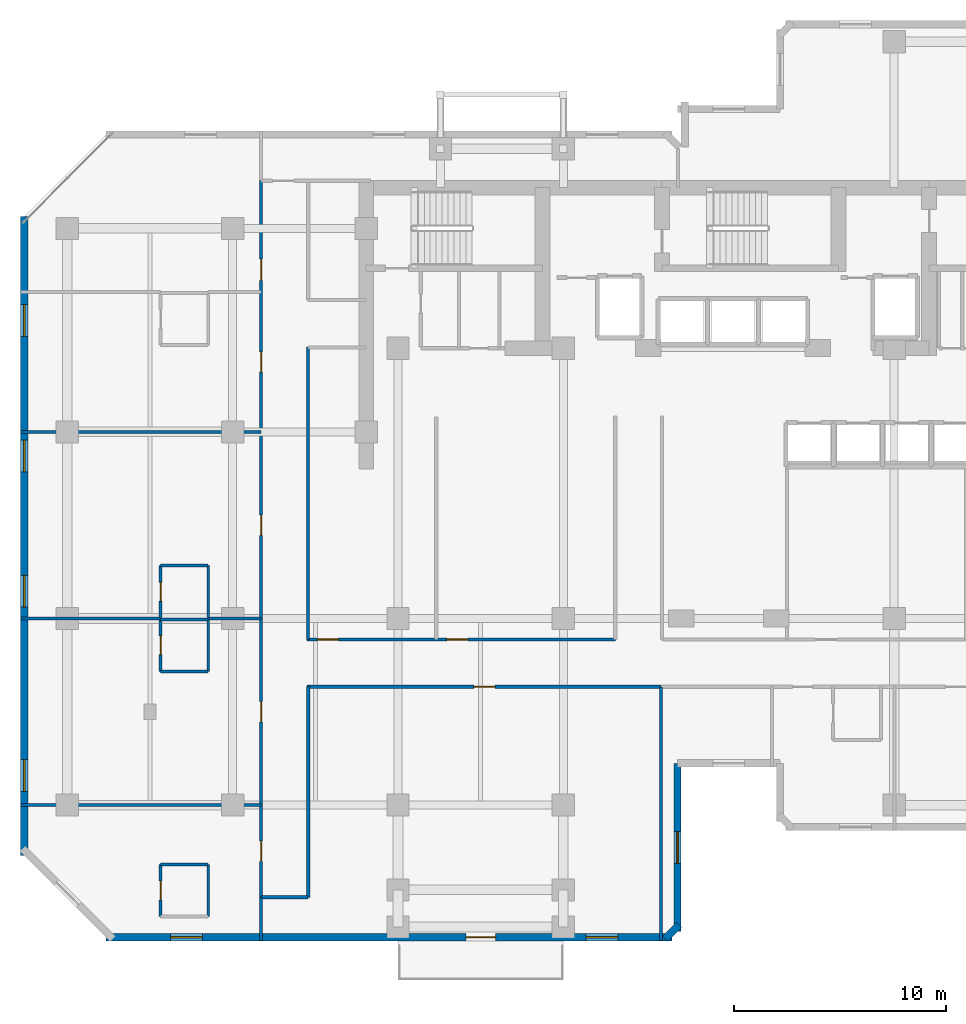
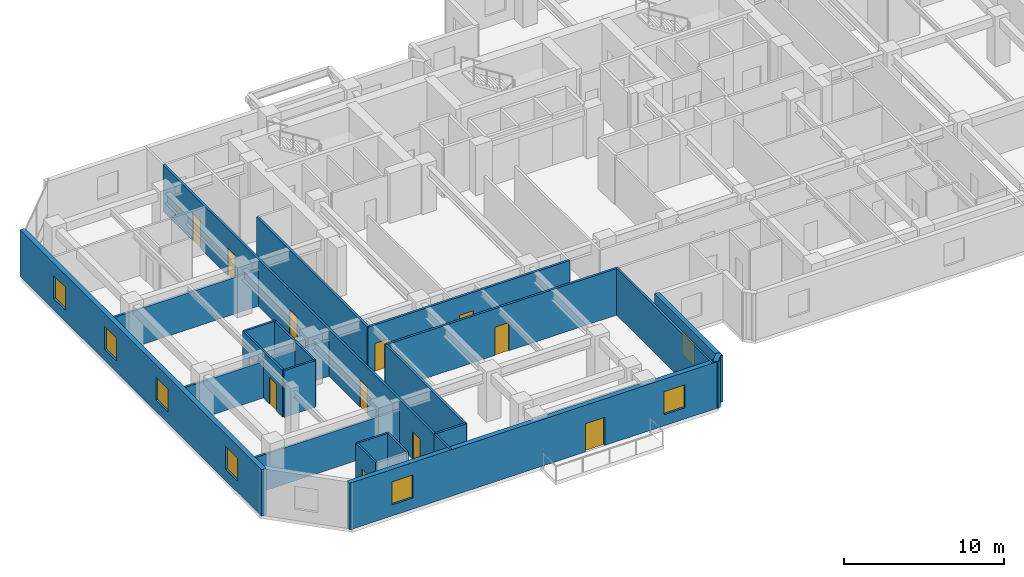
# One storey, part 4 of 10: 26 walls, 12 doors, 7 windows, 19 openings.
"""IFC4 building model written with IfcOpenShell, lengths in metres."""

from ifc_helpers import new_model, si_unit, direction, frame, frame_2d, origin, place, context, subcontext, project, spatial, rectangle, extrude, material, layer, layer_set, type_object, element, fill, save


model = new_model("IFC4")

# Units and contexts
model_context = context("Model", 3, precision=1e-05, world=origin(), true_north=direction((0.0, 1.0)))
body_context = subcontext(model_context, "Body", "Model", "MODEL_VIEW")
ifc_project = project(units=[si_unit("LENGTHUNIT", "METRE"), si_unit("AREAUNIT", "SQUARE_METRE"), si_unit("VOLUMEUNIT", "CUBIC_METRE"), si_unit("PLANEANGLEUNIT", "RADIAN"), si_unit("MASSUNIT", "GRAM", prefix="KILO")], contexts=[model_context])

# Site, building, storey
site_placement = place(None, origin())
site = spatial("IfcSite", under=ifc_project, at=site_placement, CompositionType="ELEMENT")
building_placement = place(site_placement, origin())
building = spatial("IfcBuilding", under=site, at=building_placement, Name="Kestravale Grand Hotel", CompositionType="ELEMENT")
storey_placement = place(building_placement, frame((0.0, 0.0, 138.39990234375)))
storey = spatial("IfcBuildingStorey", under=building, at=storey_placement, Name="L34", CompositionType="ELEMENT", Elevation=138.39990234375)

# Wall, openings, door, windows
ifc_material_1 = material(Name="Precast concrete f'c 45 MPa", Category="concrete")
ifc_layer_1 = layer(ifc_material_1, 0.340087890625)
ifc_layer_set_1 = layer_set([ifc_layer_1], Name="EW-PREC-340")
wall_type_1 = type_object("IfcWallType", Name="EW-PREC-340", PredefinedType="SOLIDWALL", material=ifc_layer_set_1)
wall_1_placement = place(storey_placement, frame((9.6298828125, 4.969970703125, 0.0), z_axis=(0.0, 0.0, 1.0), x_axis=(1.0, 0.0, 0.0)))
wall_1 = element("IfcWall", 1, at=wall_1_placement, inside=storey, type_object=wall_type_1, Name="L34 fluted precast facade wall 1", PredefinedType="SOLIDWALL", context=body_context, shape_type="SweptSolid", body=[
    extrude(rectangle(XDim=26.690185546875, YDim=0.340087890625, at=frame_2d((13.34521484375, 0.0))), origin(), (0.0, 0.0, 1.0), 3.550048828125),
])
opening_1_placement = place(wall_1_placement, frame((16.969970703125, 0.0, 0.0)))
opening_1 = element("IfcOpeningElement", 2, at=opening_1_placement, cuts=wall_1, Name="Opening D-TERR-1400", PredefinedType="OPENING", context=body_context, shape_type="SweptSolid", body=[
    extrude(rectangle(XDim=1.39990234375, YDim=2.14990234375, at=frame_2d((0.699951171875, 1.074951171875))), frame((0.0, 0.179931640625, 0.0), z_axis=(0.0, -1.0, 0.0), x_axis=(1.0, 0.0, 0.0)), (0.0, 0.0, 1.0), 0.360107421875),
])
opening_2_placement = place(wall_1_placement, frame((3.04833984375, 0.0, 0.85009765625)))
opening_2 = element("IfcOpeningElement", 3, at=opening_2_placement, cuts=wall_1, Name="Opening W-GUEST-1500", PredefinedType="OPENING", context=body_context, shape_type="SweptSolid", body=[
    extrude(rectangle(XDim=1.5, YDim=1.75, at=frame_2d((0.75, 0.875))), frame((0.0, 0.179931640625, 0.0), z_axis=(0.0, -1.0, 0.0), x_axis=(1.0, 0.0, 0.0)), (0.0, 0.0, 1.0), 0.360107421875),
])
opening_3_placement = place(wall_1_placement, frame((22.6416015625, 0.0, 0.85009765625)))
opening_3 = element("IfcOpeningElement", 4, at=opening_3_placement, cuts=wall_1, Name="Opening W-GUEST-1500", PredefinedType="OPENING", context=body_context, shape_type="SweptSolid", body=[
    extrude(rectangle(XDim=1.5, YDim=1.75, at=frame_2d((0.75, 0.875))), frame((0.0, 0.179931640625, 0.0), z_axis=(0.0, -1.0, 0.0), x_axis=(1.0, 0.0, 0.0)), (0.0, 0.0, 1.0), 0.360107421875),
])
ifc_material_2 = material(Name="Insulated glazed champagne-bronze aluminium door", Category="aluminium")
door_type_1 = type_object("IfcDoorType", Name="D-TERR-1400", OperationType="NOTDEFINED", PredefinedType="DOOR", material=ifc_material_2)
door_1_placement = place(opening_1_placement, origin())
door_1 = element("IfcDoor", 5, at=door_1_placement, inside=storey, type_object=door_type_1, Name="L34 outdoor garden terrace door", OperationType="DOUBLE_DOOR_SINGLE_SWING", OverallHeight=2.14990234375, OverallWidth=1.39990234375, PredefinedType="DOOR", context=body_context, shape_type="SweptSolid", body=[
    extrude(rectangle(XDim=1.39990234375, YDim=2.14990234375, at=frame_2d((0.699951171875, 1.074951171875))), frame((0.0, 0.02490234375, 0.0), z_axis=(0.0, -1.0, 0.0), x_axis=(1.0, 0.0, 0.0)), (0.0, 0.0, 1.0), 0.050048828125),
])
fill(opening_1, door_1)
ifc_material_3 = material(Name="Insulated low-E double glazing in aluminium frame", Category="aluminium")
window_type = type_object("IfcWindowType", Name="W-GUEST-1500", PartitioningType="SINGLE_PANEL", PredefinedType="WINDOW", material=ifc_material_3)
window_1_placement = place(opening_2_placement, origin())
window_1 = element("IfcWindow", 6, at=window_1_placement, inside=storey, type_object=window_type, Name="L34 exterior window 1.1", OverallHeight=1.75, OverallWidth=1.5, PartitioningType="SINGLE_PANEL", PredefinedType="WINDOW", context=body_context, shape_type="SweptSolid", body=[
    extrude(rectangle(XDim=1.5, YDim=1.75, at=frame_2d((0.75, 0.875))), frame((0.0, 0.030029296875, 0.0), z_axis=(0.0, -1.0, 0.0), x_axis=(1.0, 0.0, 0.0)), (0.0, 0.0, 1.0), 0.06005859375),
])
fill(opening_2, window_1)
window_2_placement = place(opening_3_placement, origin())
window_2 = element("IfcWindow", 7, at=window_2_placement, inside=storey, type_object=window_type, Name="L34 exterior window 1.2", OverallHeight=1.75, OverallWidth=1.5, PartitioningType="SINGLE_PANEL", PredefinedType="WINDOW", context=body_context, shape_type="SweptSolid", body=[
    extrude(rectangle(XDim=1.5, YDim=1.75, at=frame_2d((0.75, 0.875))), frame((0.0, 0.030029296875, 0.0), z_axis=(0.0, -1.0, 0.0), x_axis=(1.0, 0.0, 0.0)), (0.0, 0.0, 1.0), 0.06005859375),
])
fill(opening_3, window_2)

# Wall
wall_2_placement = place(storey_placement, frame((36.00146484375, 4.891845703125, 0.0), z_axis=(0.0, 0.0, 1.0), x_axis=(0.707106781187, 0.707106781187, 0.0)))
element("IfcWall", 8, at=wall_2_placement, inside=storey, type_object=wall_type_1, Name="L34 fluted precast facade wall 2", PredefinedType="SOLIDWALL", context=body_context, shape_type="SweptSolid", body=[
    extrude(rectangle(XDim=0.9287109375, YDim=0.340087890625, at=frame_2d((0.46435546875, 0.0))), origin(), (0.0, 0.0, 1.0), 3.550048828125),
])

# Wall, opening, window
wall_3_placement = place(storey_placement, frame((36.580078125, 5.22998046875, 0.0), z_axis=(0.0, 0.0, 1.0), x_axis=(0.0, 1.0, 0.0)))
wall_3 = element("IfcWall", 9, at=wall_3_placement, inside=storey, type_object=wall_type_1, Name="L34 fluted precast facade wall 3", PredefinedType="SOLIDWALL", context=body_context, shape_type="SweptSolid", body=[
    extrude(rectangle(XDim=7.93994140625, YDim=0.340087890625, at=frame_2d((3.969970703125, 0.0))), origin(), (0.0, 0.0, 1.0), 3.550048828125),
])
opening_4_placement = place(wall_3_placement, frame((3.219970703125, 0.0, 0.85009765625)))
opening_4 = element("IfcOpeningElement", 10, at=opening_4_placement, cuts=wall_3, Name="Opening W-GUEST-1500", PredefinedType="OPENING", context=body_context, shape_type="SweptSolid", body=[
    extrude(rectangle(XDim=1.5, YDim=1.75, at=frame_2d((0.75, 0.875))), frame((0.0, 0.179931640625, 0.0), z_axis=(0.0, -1.0, 0.0), x_axis=(1.0, 0.0, 0.0)), (0.0, 0.0, 1.0), 0.360107421875),
])
window_3_placement = place(opening_4_placement, origin())
window_3 = element("IfcWindow", 11, at=window_3_placement, inside=storey, type_object=window_type, Name="L34 exterior window 3.1", OverallHeight=1.75, OverallWidth=1.5, PartitioningType="SINGLE_PANEL", PredefinedType="WINDOW", context=body_context, shape_type="SweptSolid", body=[
    extrude(rectangle(XDim=1.5, YDim=1.75, at=frame_2d((0.75, 0.875))), frame((0.0, 0.030029296875, 0.0), z_axis=(0.0, -1.0, 0.0), x_axis=(1.0, 0.0, 0.0)), (0.0, 0.0, 1.0), 0.06005859375),
])
fill(opening_4, window_3)

# Wall, openings, windows
wall_4_placement = place(storey_placement, frame((5.77001953125, 38.969970703125, 0.0), z_axis=(0.0, 0.0, 1.0), x_axis=(0.0, -1.0, 0.0)))
wall_4 = element("IfcWall", 12, at=wall_4_placement, inside=storey, type_object=wall_type_1, Name="L34 fluted precast facade wall 19", PredefinedType="SOLIDWALL", context=body_context, shape_type="SweptSolid", body=[
    extrude(rectangle(XDim=30.139892578125, YDim=0.340087890625, at=frame_2d((15.06982421875, 0.0))), origin(), (0.0, 0.0, 1.0), 3.550048828125),
])
opening_5_placement = place(wall_4_placement, frame((4.16748046875, 0.0, 0.85009765625)))
opening_5 = element("IfcOpeningElement", 13, at=opening_5_placement, cuts=wall_4, Name="Opening W-GUEST-1500", PredefinedType="OPENING", context=body_context, shape_type="SweptSolid", body=[
    extrude(rectangle(XDim=1.5, YDim=1.75, at=frame_2d((0.75, 0.875))), frame((0.0, 0.179931640625, 0.0), z_axis=(0.0, -1.0, 0.0), x_axis=(1.0, 0.0, 0.0)), (0.0, 0.0, 1.0), 0.360107421875),
])
opening_6_placement = place(wall_4_placement, frame((10.552490234375, 0.0, 0.85009765625)))
opening_6 = element("IfcOpeningElement", 14, at=opening_6_placement, cuts=wall_4, Name="Opening W-GUEST-1500", PredefinedType="OPENING", context=body_context, shape_type="SweptSolid", body=[
    extrude(rectangle(XDim=1.5, YDim=1.75, at=frame_2d((0.75, 0.875))), frame((0.0, 0.179931640625, 0.0), z_axis=(0.0, -1.0, 0.0), x_axis=(1.0, 0.0, 0.0)), (0.0, 0.0, 1.0), 0.360107421875),
])
opening_7_placement = place(wall_4_placement, frame((16.9375, 0.0, 0.85009765625)))
opening_7 = element("IfcOpeningElement", 15, at=opening_7_placement, cuts=wall_4, Name="Opening W-GUEST-1500", PredefinedType="OPENING", context=body_context, shape_type="SweptSolid", body=[
    extrude(rectangle(XDim=1.5, YDim=1.75, at=frame_2d((0.75, 0.875))), frame((0.0, 0.179931640625, 0.0), z_axis=(0.0, -1.0, 0.0), x_axis=(1.0, 0.0, 0.0)), (0.0, 0.0, 1.0), 0.360107421875),
])
opening_8_placement = place(wall_4_placement, frame((25.62255859375, 0.0, 0.85009765625)))
opening_8 = element("IfcOpeningElement", 16, at=opening_8_placement, cuts=wall_4, Name="Opening W-GUEST-1500", PredefinedType="OPENING", context=body_context, shape_type="SweptSolid", body=[
    extrude(rectangle(XDim=1.5, YDim=1.75, at=frame_2d((0.75, 0.875))), frame((0.0, 0.179931640625, 0.0), z_axis=(0.0, -1.0, 0.0), x_axis=(1.0, 0.0, 0.0)), (0.0, 0.0, 1.0), 0.360107421875),
])
window_4_placement = place(opening_5_placement, origin())
window_4 = element("IfcWindow", 17, at=window_4_placement, inside=storey, type_object=window_type, Name="L34 exterior window 19.1", OverallHeight=1.75, OverallWidth=1.5, PartitioningType="SINGLE_PANEL", PredefinedType="WINDOW", context=body_context, shape_type="SweptSolid", body=[
    extrude(rectangle(XDim=1.5, YDim=1.75, at=frame_2d((0.75, 0.875))), frame((0.0, 0.030029296875, 0.0), z_axis=(0.0, -1.0, 0.0), x_axis=(1.0, 0.0, 0.0)), (0.0, 0.0, 1.0), 0.06005859375),
])
fill(opening_5, window_4)
window_5_placement = place(opening_6_placement, origin())
window_5 = element("IfcWindow", 18, at=window_5_placement, inside=storey, type_object=window_type, Name="L34 exterior window 19.2", OverallHeight=1.75, OverallWidth=1.5, PartitioningType="SINGLE_PANEL", PredefinedType="WINDOW", context=body_context, shape_type="SweptSolid", body=[
    extrude(rectangle(XDim=1.5, YDim=1.75, at=frame_2d((0.75, 0.875))), frame((0.0, 0.030029296875, 0.0), z_axis=(0.0, -1.0, 0.0), x_axis=(1.0, 0.0, 0.0)), (0.0, 0.0, 1.0), 0.06005859375),
])
fill(opening_6, window_5)
window_6_placement = place(opening_7_placement, origin())
window_6 = element("IfcWindow", 19, at=window_6_placement, inside=storey, type_object=window_type, Name="L34 exterior window 19.3", OverallHeight=1.75, OverallWidth=1.5, PartitioningType="SINGLE_PANEL", PredefinedType="WINDOW", context=body_context, shape_type="SweptSolid", body=[
    extrude(rectangle(XDim=1.5, YDim=1.75, at=frame_2d((0.75, 0.875))), frame((0.0, 0.030029296875, 0.0), z_axis=(0.0, -1.0, 0.0), x_axis=(1.0, 0.0, 0.0)), (0.0, 0.0, 1.0), 0.06005859375),
])
fill(opening_7, window_6)
window_7_placement = place(opening_8_placement, origin())
window_7 = element("IfcWindow", 20, at=window_7_placement, inside=storey, type_object=window_type, Name="L34 exterior window 19.4", OverallHeight=1.75, OverallWidth=1.5, PartitioningType="SINGLE_PANEL", PredefinedType="WINDOW", context=body_context, shape_type="SweptSolid", body=[
    extrude(rectangle(XDim=1.5, YDim=1.75, at=frame_2d((0.75, 0.875))), frame((0.0, 0.030029296875, 0.0), z_axis=(0.0, -1.0, 0.0), x_axis=(1.0, 0.0, 0.0)), (0.0, 0.0, 1.0), 0.06005859375),
])
fill(opening_8, window_7)

# Wall, openings, doors
ifc_material_4 = material(Name="Acoustic fire-rated gypsum board partition", Category="other")
ifc_layer_2 = layer(ifc_material_4, 0.159912109375)
ifc_layer_set_2 = layer_set([ifc_layer_2], Name="IW-CORR-160")
wall_type_2 = type_object("IfcWallType", Name="IW-CORR-160", PredefinedType="PARTITIONING", material=ifc_layer_set_2)
wall_5_placement = place(storey_placement, frame((19.10009765625, 19.010009765625, 0.0), z_axis=(0.0, 0.0, 1.0), x_axis=(1.0, 0.0, 0.0)))
wall_5 = element("IfcWall", 21, at=wall_5_placement, inside=storey, type_object=wall_type_2, Name="W-L34-CW-N", PredefinedType="PARTITIONING", context=body_context, shape_type="SweptSolid", body=[
    extrude(rectangle(XDim=14.5498046875, YDim=0.159912109375, at=frame_2d((7.27490234375, 0.0))), origin(), (0.0, 0.0, 1.0), 3.550048828125),
])
opening_9_placement = place(wall_5_placement, frame((0.5, 0.0, 0.0)))
opening_9 = element("IfcOpeningElement", 22, at=opening_9_placement, cuts=wall_5, Name="Opening D-GUEST-1000", PredefinedType="OPENING", context=body_context, shape_type="SweptSolid", body=[
    extrude(rectangle(XDim=1.0, YDim=2.14990234375, at=frame_2d((0.5, 1.074951171875))), frame((0.0, 0.08984375, 0.0), z_axis=(0.0, -1.0, 0.0), x_axis=(1.0, 0.0, 0.0)), (0.0, 0.0, 1.0), 0.179931640625),
])
opening_10_placement = place(wall_5_placement, frame((6.60009765625, 0.0, 0.0)))
opening_10 = element("IfcOpeningElement", 23, at=opening_10_placement, cuts=wall_5, Name="Opening D-GUEST-1000", PredefinedType="OPENING", context=body_context, shape_type="SweptSolid", body=[
    extrude(rectangle(XDim=1.0, YDim=2.14990234375, at=frame_2d((0.5, 1.074951171875))), frame((0.0, 0.08984375, 0.0), z_axis=(0.0, -1.0, 0.0), x_axis=(1.0, 0.0, 0.0)), (0.0, 0.0, 1.0), 0.179931640625),
])
ifc_material_5 = material(Name="Accessible walnut veneer hotel entrance fire door", Category="wood")
door_type_2 = type_object("IfcDoorType", Name="D-GUEST-1000", OperationType="NOTDEFINED", PredefinedType="DOOR", material=ifc_material_5)
door_2_placement = place(opening_9_placement, origin())
door_2 = element("IfcDoor", 24, at=door_2_placement, inside=storey, type_object=door_type_2, Name="D-L34-RECL-W1", OperationType="SINGLE_SWING_LEFT", OverallHeight=2.14990234375, OverallWidth=1.0, PredefinedType="DOOR", context=body_context, shape_type="SweptSolid", body=[
    extrude(rectangle(XDim=1.0, YDim=2.14990234375, at=frame_2d((0.5, 1.074951171875))), frame((0.0, 0.02490234375, 0.0), z_axis=(0.0, -1.0, 0.0), x_axis=(1.0, 0.0, 0.0)), (0.0, 0.0, 1.0), 0.050048828125),
])
fill(opening_9, door_2)
door_3_placement = place(opening_10_placement, origin())
door_3 = element("IfcDoor", 25, at=door_3_placement, inside=storey, type_object=door_type_2, Name="D-L34-RECL-W2", OperationType="SINGLE_SWING_RIGHT", OverallHeight=2.14990234375, OverallWidth=1.0, PredefinedType="DOOR", context=body_context, shape_type="SweptSolid", body=[
    extrude(rectangle(XDim=1.0, YDim=2.14990234375, at=frame_2d((0.5, 1.074951171875))), frame((0.0, 0.02490234375, 0.0), z_axis=(0.0, -1.0, 0.0), x_axis=(1.0, 0.0, 0.0)), (0.0, 0.0, 1.0), 0.050048828125),
])
fill(opening_10, door_3)

# Wall, opening, door
wall_6_placement = place(storey_placement, frame((19.10009765625, 16.7900390625, 0.0), z_axis=(0.0, 0.0, 1.0), x_axis=(1.0, 0.0, 0.0)))
wall_6 = element("IfcWall", 26, at=wall_6_placement, inside=storey, type_object=wall_type_2, Name="W-L34-CW-S", PredefinedType="PARTITIONING", context=body_context, shape_type="SweptSolid", body=[
    extrude(rectangle(XDim=16.699951171875, YDim=0.159912109375, at=frame_2d((8.35009765625, 0.0))), origin(), (0.0, 0.0, 1.0), 3.550048828125),
])
opening_11_placement = place(wall_6_placement, frame((7.8798828125, 0.0, 0.0)))
opening_11 = element("IfcOpeningElement", 27, at=opening_11_placement, cuts=wall_6, Name="Opening D-GUEST-1000", PredefinedType="OPENING", context=body_context, shape_type="SweptSolid", body=[
    extrude(rectangle(XDim=1.0, YDim=2.14990234375, at=frame_2d((0.5, 1.074951171875))), frame((0.0, 0.08984375, 0.0), z_axis=(0.0, -1.0, 0.0), x_axis=(1.0, 0.0, 0.0)), (0.0, 0.0, 1.0), 0.179931640625),
])
door_4_placement = place(opening_11_placement, origin())
door_4 = element("IfcDoor", 28, at=door_4_placement, inside=storey, type_object=door_type_2, Name="D-L34-AMW", OperationType="SINGLE_SWING_LEFT", OverallHeight=2.14990234375, OverallWidth=1.0, PredefinedType="DOOR", context=body_context, shape_type="SweptSolid", body=[
    extrude(rectangle(XDim=1.0, YDim=2.14990234375, at=frame_2d((0.5, 1.074951171875))), frame((0.0, 0.02490234375, 0.0), z_axis=(0.0, -1.0, 0.0), x_axis=(1.0, 0.0, 0.0)), (0.0, 0.0, 1.0), 0.050048828125),
])
fill(opening_11, door_4)

# Wall, openings, doors
wall_7_placement = place(storey_placement, frame((16.93994140625, 6.85009765625, 0.0), z_axis=(0.0, 0.0, 1.0), x_axis=(0.0, 1.0, 0.0)))
wall_7 = element("IfcWall", 29, at=wall_7_placement, inside=storey, type_object=wall_type_2, Name="W-L34-SW-W", PredefinedType="PARTITIONING", context=body_context, shape_type="SweptSolid", body=[
    extrude(rectangle(XDim=33.7998046875, YDim=0.159912109375, at=frame_2d((16.89990234375, 0.0))), origin(), (0.0, 0.0, 1.0), 3.550048828125),
])
opening_12_placement = place(wall_7_placement, frame((1.699951171875, 0.0, 0.0)))
opening_12 = element("IfcOpeningElement", 30, at=opening_12_placement, cuts=wall_7, Name="Opening D-GUEST-950", PredefinedType="OPENING", context=body_context, shape_type="SweptSolid", body=[
    extrude(rectangle(XDim=0.949951171875, YDim=2.10009765625, at=frame_2d((0.47509765625, 1.050048828125))), frame((0.0, 0.08984375, 0.0), z_axis=(0.0, -1.0, 0.0), x_axis=(1.0, 0.0, 0.0)), (0.0, 0.0, 1.0), 0.179931640625),
])
opening_13_placement = place(wall_7_placement, frame((8.27490234375, 0.0, 0.0)))
opening_13 = element("IfcOpeningElement", 31, at=opening_13_placement, cuts=wall_7, Name="Opening D-GUEST-950", PredefinedType="OPENING", context=body_context, shape_type="SweptSolid", body=[
    extrude(rectangle(XDim=0.949951171875, YDim=2.10009765625, at=frame_2d((0.47509765625, 1.050048828125))), frame((0.0, 0.08984375, 0.0), z_axis=(0.0, -1.0, 0.0), x_axis=(1.0, 0.0, 0.0)), (0.0, 0.0, 1.0), 0.179931640625),
])
opening_14_placement = place(wall_7_placement, frame((17.074951171875, 0.0, 0.0)))
opening_14 = element("IfcOpeningElement", 32, at=opening_14_placement, cuts=wall_7, Name="Opening D-GUEST-950", PredefinedType="OPENING", context=body_context, shape_type="SweptSolid", body=[
    extrude(rectangle(XDim=0.949951171875, YDim=2.10009765625, at=frame_2d((0.47509765625, 1.050048828125))), frame((0.0, 0.08984375, 0.0), z_axis=(0.0, -1.0, 0.0), x_axis=(1.0, 0.0, 0.0)), (0.0, 0.0, 1.0), 0.179931640625),
])
opening_15_placement = place(wall_7_placement, frame((24.77490234375, 0.0, 0.0)))
opening_15 = element("IfcOpeningElement", 33, at=opening_15_placement, cuts=wall_7, Name="Opening D-GUEST-950", PredefinedType="OPENING", context=body_context, shape_type="SweptSolid", body=[
    extrude(rectangle(XDim=0.949951171875, YDim=2.10009765625, at=frame_2d((0.47509765625, 1.050048828125))), frame((0.0, 0.08984375, 0.0), z_axis=(0.0, -1.0, 0.0), x_axis=(1.0, 0.0, 0.0)), (0.0, 0.0, 1.0), 0.179931640625),
])
opening_16_placement = place(wall_7_placement, frame((29.10009765625, 0.0, 0.0)))
opening_16 = element("IfcOpeningElement", 34, at=opening_16_placement, cuts=wall_7, Name="Opening D-GUEST-1000", PredefinedType="OPENING", context=body_context, shape_type="SweptSolid", body=[
    extrude(rectangle(XDim=1.0, YDim=2.14990234375, at=frame_2d((0.5, 1.074951171875))), frame((0.0, 0.08984375, 0.0), z_axis=(0.0, -1.0, 0.0), x_axis=(1.0, 0.0, 0.0)), (0.0, 0.0, 1.0), 0.179931640625),
])
door_5_placement = place(opening_16_placement, origin())
door_5 = element("IfcDoor", 35, at=door_5_placement, inside=storey, type_object=door_type_2, Name="D-L34-AMWW", OperationType="SINGLE_SWING_LEFT", OverallHeight=2.14990234375, OverallWidth=1.0, PredefinedType="DOOR", context=body_context, shape_type="SweptSolid", body=[
    extrude(rectangle(XDim=1.0, YDim=2.14990234375, at=frame_2d((0.5, 1.074951171875))), frame((0.0, 0.02490234375, 0.0), z_axis=(0.0, -1.0, 0.0), x_axis=(1.0, 0.0, 0.0)), (0.0, 0.0, 1.0), 0.050048828125),
])
fill(opening_16, door_5)
ifc_material_6 = material(Name="Walnut veneer hotel guestroom entrance fire door", Category="wood")
door_type_3 = type_object("IfcDoorType", Name="D-GUEST-950", OperationType="NOTDEFINED", PredefinedType="DOOR", material=ifc_material_6)
door_6_placement = place(opening_12_placement, origin())
door_6 = element("IfcDoor", 36, at=door_6_placement, inside=storey, type_object=door_type_3, Name="D-L34-U03-ENT", OperationType="SINGLE_SWING_RIGHT", OverallHeight=2.10009765625, OverallWidth=0.949951171875, PredefinedType="DOOR", context=body_context, shape_type="SweptSolid", body=[
    extrude(rectangle(XDim=0.949951171875, YDim=2.10009765625, at=frame_2d((0.47509765625, 1.050048828125))), frame((0.0, 0.02490234375, 0.0), z_axis=(0.0, -1.0, 0.0), x_axis=(1.0, 0.0, 0.0)), (0.0, 0.0, 1.0), 0.050048828125),
])
fill(opening_12, door_6)
door_7_placement = place(opening_13_placement, origin())
door_7 = element("IfcDoor", 37, at=door_7_placement, inside=storey, type_object=door_type_3, Name="D-L34-U04-ENT", OperationType="SINGLE_SWING_RIGHT", OverallHeight=2.10009765625, OverallWidth=0.949951171875, PredefinedType="DOOR", context=body_context, shape_type="SweptSolid", body=[
    extrude(rectangle(XDim=0.949951171875, YDim=2.10009765625, at=frame_2d((0.47509765625, 1.050048828125))), frame((0.0, 0.02490234375, 0.0), z_axis=(0.0, -1.0, 0.0), x_axis=(1.0, 0.0, 0.0)), (0.0, 0.0, 1.0), 0.050048828125),
])
fill(opening_13, door_7)
door_8_placement = place(opening_14_placement, origin())
door_8 = element("IfcDoor", 38, at=door_8_placement, inside=storey, type_object=door_type_3, Name="D-L34-U05-ENT", OperationType="SINGLE_SWING_RIGHT", OverallHeight=2.10009765625, OverallWidth=0.949951171875, PredefinedType="DOOR", context=body_context, shape_type="SweptSolid", body=[
    extrude(rectangle(XDim=0.949951171875, YDim=2.10009765625, at=frame_2d((0.47509765625, 1.050048828125))), frame((0.0, 0.02490234375, 0.0), z_axis=(0.0, -1.0, 0.0), x_axis=(1.0, 0.0, 0.0)), (0.0, 0.0, 1.0), 0.050048828125),
])
fill(opening_14, door_8)
door_9_placement = place(opening_15_placement, origin())
door_9 = element("IfcDoor", 39, at=door_9_placement, inside=storey, type_object=door_type_3, Name="D-L34-U06-ENT", OperationType="SINGLE_SWING_RIGHT", OverallHeight=2.10009765625, OverallWidth=0.949951171875, PredefinedType="DOOR", context=body_context, shape_type="SweptSolid", body=[
    extrude(rectangle(XDim=0.949951171875, YDim=2.10009765625, at=frame_2d((0.47509765625, 1.050048828125))), frame((0.0, 0.02490234375, 0.0), z_axis=(0.0, -1.0, 0.0), x_axis=(1.0, 0.0, 0.0)), (0.0, 0.0, 1.0), 0.050048828125),
])
fill(opening_15, door_9)

# Wall
wall_8_placement = place(storey_placement, frame((19.159912109375, 6.85009765625, 0.0), z_axis=(0.0, 0.0, 1.0), x_axis=(0.0, 1.0, 0.0)))
element("IfcWall", 40, at=wall_8_placement, inside=storey, type_object=wall_type_2, Name="W-L34-SW-E", PredefinedType="PARTITIONING", context=body_context, shape_type="SweptSolid", body=[
    extrude(rectangle(XDim=9.93994140625, YDim=0.159912109375, at=frame_2d((4.969970703125, 0.0))), origin(), (0.0, 0.0, 1.0), 3.550048828125),
])

# Wall, opening, door
ifc_material_7 = material(Name="Moisture-resistant tile-backer plumbing chase wall", Category="other")
ifc_layer_3 = layer(ifc_material_7, 0.139892578125)
ifc_layer_set_3 = layer_set([ifc_layer_3], Name="IW-PLB-140")
wall_type_3 = type_object("IfcWallType", Name="IW-PLB-140", PredefinedType="PLUMBINGWALL", material=ifc_layer_set_3)
wall_9_placement = place(storey_placement, frame((12.199951171875, 5.949951171875, 0.0), z_axis=(0.0, 0.0, 1.0), x_axis=(0.0, 1.0, 0.0)))
wall_9 = element("IfcWall", 41, at=wall_9_placement, inside=storey, type_object=wall_type_3, Name="W-L34-U03-BW", PredefinedType="PLUMBINGWALL", context=body_context, shape_type="SweptSolid", body=[
    extrude(rectangle(XDim=2.449951171875, YDim=0.139892578125, at=frame_2d((1.22509765625, 0.0))), origin(), (0.0, 0.0, 1.0), 3.550048828125),
])
opening_17_placement = place(wall_9_placement, frame((0.784912109375, 0.0, 0.0)))
opening_17 = element("IfcOpeningElement", 42, at=opening_17_placement, cuts=wall_9, Name="Opening D-BATH-880", PredefinedType="OPENING", context=body_context, shape_type="SweptSolid", body=[
    extrude(rectangle(XDim=0.8798828125, YDim=2.050048828125, at=frame_2d((0.43994140625, 1.02490234375))), frame((0.0, 0.079833984375, 0.0), z_axis=(0.0, -1.0, 0.0), x_axis=(1.0, 0.0, 0.0)), (0.0, 0.0, 1.0), 0.159912109375),
])
ifc_material_8 = material(Name="Moisture-sealed walnut en-suite bathroom door", Category="wood")
door_type_4 = type_object("IfcDoorType", Name="D-BATH-880", OperationType="NOTDEFINED", PredefinedType="DOOR", material=ifc_material_8)
door_10_placement = place(opening_17_placement, origin())
door_10 = element("IfcDoor", 43, at=door_10_placement, inside=storey, type_object=door_type_4, Name="D-L34-U03-BATH", OperationType="SINGLE_SWING_LEFT", OverallHeight=2.050048828125, OverallWidth=0.8798828125, PredefinedType="DOOR", context=body_context, shape_type="SweptSolid", body=[
    extrude(rectangle(XDim=0.8798828125, YDim=2.050048828125, at=frame_2d((0.43994140625, 1.02490234375))), frame((0.0, 0.02490234375, 0.0), z_axis=(0.0, -1.0, 0.0), x_axis=(1.0, 0.0, 0.0)), (0.0, 0.0, 1.0), 0.050048828125),
])
fill(opening_17, door_10)

# Walls
wall_10_placement = place(storey_placement, frame((14.449951171875, 5.949951171875, 0.0), z_axis=(0.0, 0.0, 1.0), x_axis=(0.0, 1.0, 0.0)))
element("IfcWall", 44, at=wall_10_placement, inside=storey, type_object=wall_type_3, Name="W-L34-U03-BE", PredefinedType="PLUMBINGWALL", context=body_context, shape_type="SweptSolid", body=[
    extrude(rectangle(XDim=2.449951171875, YDim=0.139892578125, at=frame_2d((1.22509765625, 0.0))), origin(), (0.0, 0.0, 1.0), 3.550048828125),
])
wall_11_placement = place(storey_placement, frame((12.199951171875, 8.39990234375, 0.0), z_axis=(0.0, 0.0, 1.0), x_axis=(1.0, 0.0, 0.0)))
element("IfcWall", 45, at=wall_11_placement, inside=storey, type_object=wall_type_3, Name="W-L34-U03-BN", PredefinedType="PLUMBINGWALL", context=body_context, shape_type="SweptSolid", body=[
    extrude(rectangle(XDim=2.25, YDim=0.139892578125, at=frame_2d((1.125, 0.0))), origin(), (0.0, 0.0, 1.0), 3.550048828125),
])

# Wall, opening, door
wall_12_placement = place(storey_placement, frame((12.199951171875, 17.510009765625, 0.0), z_axis=(0.0, 0.0, 1.0), x_axis=(0.0, 1.0, 0.0)))
wall_12 = element("IfcWall", 46, at=wall_12_placement, inside=storey, type_object=wall_type_3, Name="W-L34-U04-BW", PredefinedType="PLUMBINGWALL", context=body_context, shape_type="SweptSolid", body=[
    extrude(rectangle(XDim=2.449951171875, YDim=0.139892578125, at=frame_2d((1.22509765625, 0.0))), origin(), (0.0, 0.0, 1.0), 3.550048828125),
])
opening_18_placement = place(wall_12_placement, frame((0.784912109375, 0.0, 0.0)))
opening_18 = element("IfcOpeningElement", 47, at=opening_18_placement, cuts=wall_12, Name="Opening D-BATH-880", PredefinedType="OPENING", context=body_context, shape_type="SweptSolid", body=[
    extrude(rectangle(XDim=0.8798828125, YDim=2.050048828125, at=frame_2d((0.43994140625, 1.02490234375))), frame((0.0, 0.079833984375, 0.0), z_axis=(0.0, -1.0, 0.0), x_axis=(1.0, 0.0, 0.0)), (0.0, 0.0, 1.0), 0.159912109375),
])
door_11_placement = place(opening_18_placement, origin())
door_11 = element("IfcDoor", 48, at=door_11_placement, inside=storey, type_object=door_type_4, Name="D-L34-U04-BATH", OperationType="SINGLE_SWING_LEFT", OverallHeight=2.050048828125, OverallWidth=0.8798828125, PredefinedType="DOOR", context=body_context, shape_type="SweptSolid", body=[
    extrude(rectangle(XDim=0.8798828125, YDim=2.050048828125, at=frame_2d((0.43994140625, 1.02490234375))), frame((0.0, 0.02490234375, 0.0), z_axis=(0.0, -1.0, 0.0), x_axis=(1.0, 0.0, 0.0)), (0.0, 0.0, 1.0), 0.050048828125),
])
fill(opening_18, door_11)

# Walls
wall_13_placement = place(storey_placement, frame((14.449951171875, 17.510009765625, 0.0), z_axis=(0.0, 0.0, 1.0), x_axis=(0.0, 1.0, 0.0)))
element("IfcWall", 49, at=wall_13_placement, inside=storey, type_object=wall_type_3, Name="W-L34-U04-BE", PredefinedType="PLUMBINGWALL", context=body_context, shape_type="SweptSolid", body=[
    extrude(rectangle(XDim=2.449951171875, YDim=0.139892578125, at=frame_2d((1.22509765625, 0.0))), origin(), (0.0, 0.0, 1.0), 3.550048828125),
])
wall_14_placement = place(storey_placement, frame((12.199951171875, 17.510009765625, 0.0), z_axis=(0.0, 0.0, 1.0), x_axis=(1.0, 0.0, 0.0)))
element("IfcWall", 50, at=wall_14_placement, inside=storey, type_object=wall_type_3, Name="W-L34-U04-BS", PredefinedType="PLUMBINGWALL", context=body_context, shape_type="SweptSolid", body=[
    extrude(rectangle(XDim=2.25, YDim=0.139892578125, at=frame_2d((1.125, 0.0))), origin(), (0.0, 0.0, 1.0), 3.550048828125),
])
wall_15_placement = place(storey_placement, frame((12.199951171875, 19.9599609375, 0.0), z_axis=(0.0, 0.0, 1.0), x_axis=(1.0, 0.0, 0.0)))
element("IfcWall", 51, at=wall_15_placement, inside=storey, type_object=wall_type_3, Name="W-L34-U04-BN", PredefinedType="PLUMBINGWALL", context=body_context, shape_type="SweptSolid", body=[
    extrude(rectangle(XDim=2.25, YDim=0.139892578125, at=frame_2d((1.125, 0.0))), origin(), (0.0, 0.0, 1.0), 2.900146484375),
])

# Wall, opening, door
wall_16_placement = place(storey_placement, frame((12.199951171875, 20.0400390625, 0.0), z_axis=(0.0, 0.0, 1.0), x_axis=(0.0, 1.0, 0.0)))
wall_16 = element("IfcWall", 52, at=wall_16_placement, inside=storey, type_object=wall_type_3, Name="W-L34-U05-BW", PredefinedType="PLUMBINGWALL", context=body_context, shape_type="SweptSolid", body=[
    extrude(rectangle(XDim=2.449951171875, YDim=0.139892578125, at=frame_2d((1.22509765625, 0.0))), origin(), (0.0, 0.0, 1.0), 3.550048828125),
])
opening_19_placement = place(wall_16_placement, frame((0.784912109375, 0.0, 0.0)))
opening_19 = element("IfcOpeningElement", 53, at=opening_19_placement, cuts=wall_16, Name="Opening D-BATH-880", PredefinedType="OPENING", context=body_context, shape_type="SweptSolid", body=[
    extrude(rectangle(XDim=0.8798828125, YDim=2.050048828125, at=frame_2d((0.43994140625, 1.02490234375))), frame((0.0, 0.079833984375, 0.0), z_axis=(0.0, -1.0, 0.0), x_axis=(1.0, 0.0, 0.0)), (0.0, 0.0, 1.0), 0.159912109375),
])
door_12_placement = place(opening_19_placement, origin())
door_12 = element("IfcDoor", 54, at=door_12_placement, inside=storey, type_object=door_type_4, Name="D-L34-U05-BATH", OperationType="SINGLE_SWING_LEFT", OverallHeight=2.050048828125, OverallWidth=0.8798828125, PredefinedType="DOOR", context=body_context, shape_type="SweptSolid", body=[
    extrude(rectangle(XDim=0.8798828125, YDim=2.050048828125, at=frame_2d((0.43994140625, 1.02490234375))), frame((0.0, 0.02490234375, 0.0), z_axis=(0.0, -1.0, 0.0), x_axis=(1.0, 0.0, 0.0)), (0.0, 0.0, 1.0), 0.050048828125),
])
fill(opening_19, door_12)

# Walls
wall_17_placement = place(storey_placement, frame((14.449951171875, 20.0400390625, 0.0), z_axis=(0.0, 0.0, 1.0), x_axis=(0.0, 1.0, 0.0)))
element("IfcWall", 55, at=wall_17_placement, inside=storey, type_object=wall_type_3, Name="W-L34-U05-BE", PredefinedType="PLUMBINGWALL", context=body_context, shape_type="SweptSolid", body=[
    extrude(rectangle(XDim=2.449951171875, YDim=0.139892578125, at=frame_2d((1.22509765625, 0.0))), origin(), (0.0, 0.0, 1.0), 3.550048828125),
])
wall_18_placement = place(storey_placement, frame((12.199951171875, 22.489990234375, 0.0), z_axis=(0.0, 0.0, 1.0), x_axis=(1.0, 0.0, 0.0)))
element("IfcWall", 56, at=wall_18_placement, inside=storey, type_object=wall_type_3, Name="W-L34-U05-BN", PredefinedType="PLUMBINGWALL", context=body_context, shape_type="SweptSolid", body=[
    extrude(rectangle(XDim=2.25, YDim=0.139892578125, at=frame_2d((1.125, 0.0))), origin(), (0.0, 0.0, 1.0), 3.550048828125),
])
ifc_material_9 = material(Name="Double-stud STC 52 acoustic demising partition", Category="other")
ifc_layer_4 = layer(ifc_material_9, 0.14990234375)
ifc_layer_set_4 = layer_set([ifc_layer_4], Name="IW-UNIT-150")
wall_type_4 = type_object("IfcWallType", Name="IW-UNIT-150", PredefinedType="PARTITIONING", material=ifc_layer_set_4)
wall_19_placement = place(storey_placement, frame((16.93994140625, 6.85009765625, 0.0), z_axis=(0.0, 0.0, 1.0), x_axis=(1.0, 0.0, 0.0)))
element("IfcWall", 57, at=wall_19_placement, inside=storey, type_object=wall_type_4, Name="W-L34-SW-S", PredefinedType="PARTITIONING", context=body_context, shape_type="SweptSolid", body=[
    extrude(rectangle(XDim=2.219970703125, YDim=0.14990234375, at=frame_2d((1.10986328125, 0.0))), origin(), (0.0, 0.0, 1.0), 3.550048828125),
])
wall_20_placement = place(storey_placement, frame((19.159912109375, 19.010009765625, 0.0), z_axis=(0.0, 0.0, 1.0), x_axis=(0.0, 1.0, 0.0)))
element("IfcWall", 58, at=wall_20_placement, inside=storey, type_object=wall_type_4, Name="W-L34-RCLW-W", PredefinedType="PARTITIONING", context=body_context, shape_type="SweptSolid", body=[
    extrude(rectangle(XDim=13.7900390625, YDim=0.14990234375, at=frame_2d((6.89501953125, 0.0))), origin(), (0.0, 0.0, 1.0), 3.550048828125),
])
wall_21_placement = place(storey_placement, frame((35.800048828125, 4.820068359375, 0.0), z_axis=(0.0, 0.0, 1.0), x_axis=(0.0, 1.0, 0.0)))
element("IfcWall", 59, at=wall_21_placement, inside=storey, type_object=wall_type_4, Name="W-L34-MID-S", PredefinedType="PARTITIONING", context=body_context, shape_type="SweptSolid", body=[
    extrude(rectangle(XDim=11.949951171875, YDim=0.14990234375, at=frame_2d((5.97509765625, 0.0))), origin(), (0.0, 0.0, 1.0), 3.550048828125),
])
wall_22_placement = place(storey_placement, frame((16.93994140625, 4.820068359375, 0.0), z_axis=(0.0, 0.0, 1.0), x_axis=(0.0, 1.0, 0.0)))
element("IfcWall", 60, at=wall_22_placement, inside=storey, type_object=wall_type_4, Name="W-L34-SW-EXT", PredefinedType="PARTITIONING", context=body_context, shape_type="SweptSolid", body=[
    extrude(rectangle(XDim=2.030029296875, YDim=0.14990234375, at=frame_2d((1.01513671875, 0.0))), origin(), (0.0, 0.0, 1.0), 3.550048828125),
])
wall_23_placement = place(storey_placement, frame((5.6201171875, 11.199951171875, 0.0), z_axis=(0.0, 0.0, 1.0), x_axis=(1.0, 0.0, 0.0)))
element("IfcWall", 61, at=wall_23_placement, inside=storey, type_object=wall_type_4, Name="W-L34-WW-1", PredefinedType="PARTITIONING", context=body_context, shape_type="SweptSolid", body=[
    extrude(rectangle(XDim=11.31982421875, YDim=0.14990234375, at=frame_2d((5.659912109375, 0.0))), origin(), (0.0, 0.0, 1.0), 2.778076171875),
])
wall_24_placement = place(storey_placement, frame((5.6201171875, 20.0, 0.0), z_axis=(0.0, 0.0, 1.0), x_axis=(1.0, 0.0, 0.0)))
element("IfcWall", 62, at=wall_24_placement, inside=storey, type_object=wall_type_4, Name="W-L34-WW-2", PredefinedType="PARTITIONING", context=body_context, shape_type="SweptSolid", body=[
    extrude(rectangle(XDim=6.579833984375, YDim=0.14990234375, at=frame_2d((3.2900390625, 0.0))), origin(), (0.0, 0.0, 1.0), 2.778076171875),
])
wall_25_placement = place(storey_placement, frame((14.449951171875, 20.0, 0.0), z_axis=(0.0, 0.0, 1.0), x_axis=(1.0, 0.0, 0.0)))
element("IfcWall", 63, at=wall_25_placement, inside=storey, type_object=wall_type_4, Name="W-L34-WW-2", PredefinedType="PARTITIONING", context=body_context, shape_type="SweptSolid", body=[
    extrude(rectangle(XDim=2.489990234375, YDim=0.14990234375, at=frame_2d((1.2451171875, 0.0))), origin(), (0.0, 0.0, 1.0), 2.778076171875),
])
wall_26_placement = place(storey_placement, frame((5.6201171875, 28.800048828125, 0.0), z_axis=(0.0, 0.0, 1.0), x_axis=(1.0, 0.0, 0.0)))
element("IfcWall", 64, at=wall_26_placement, inside=storey, type_object=wall_type_4, Name="W-L34-WW-3", PredefinedType="PARTITIONING", context=body_context, shape_type="SweptSolid", body=[
    extrude(rectangle(XDim=11.31982421875, YDim=0.14990234375, at=frame_2d((5.659912109375, 0.0))), origin(), (0.0, 0.0, 1.0), 2.778076171875),
])

save(model, "model.ifc")
